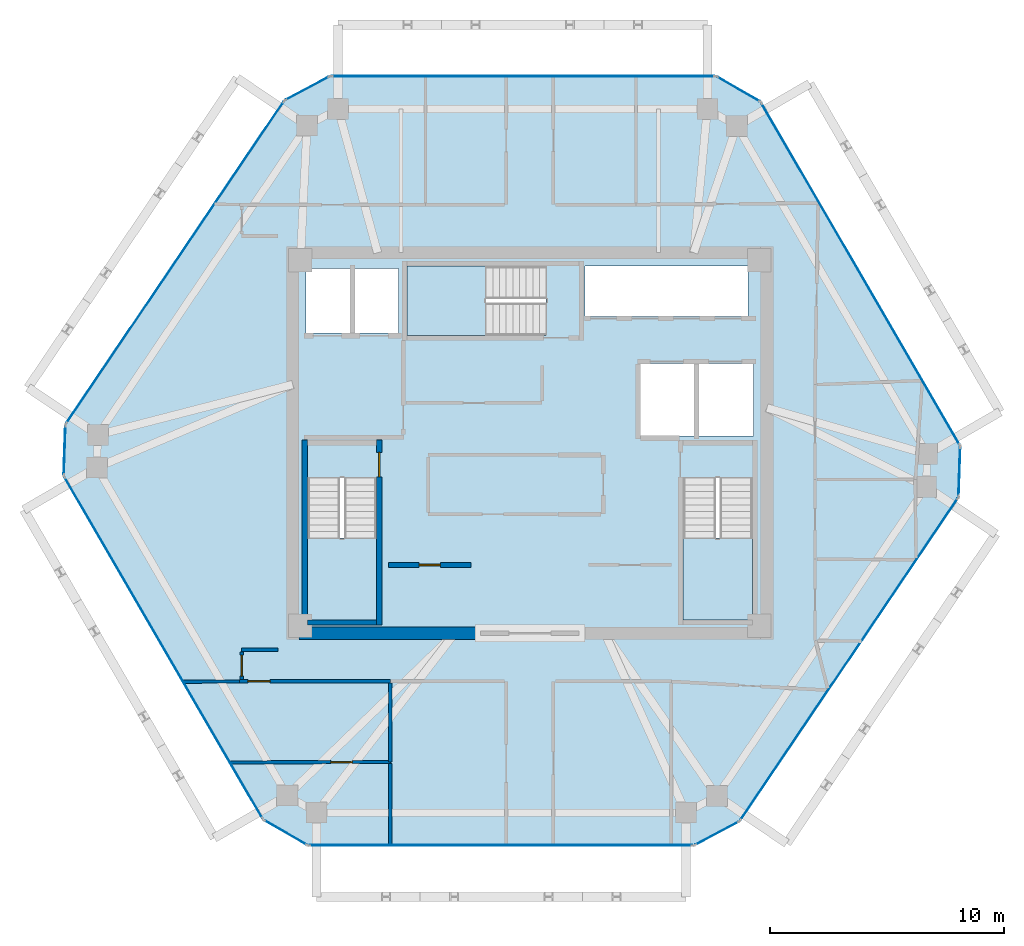
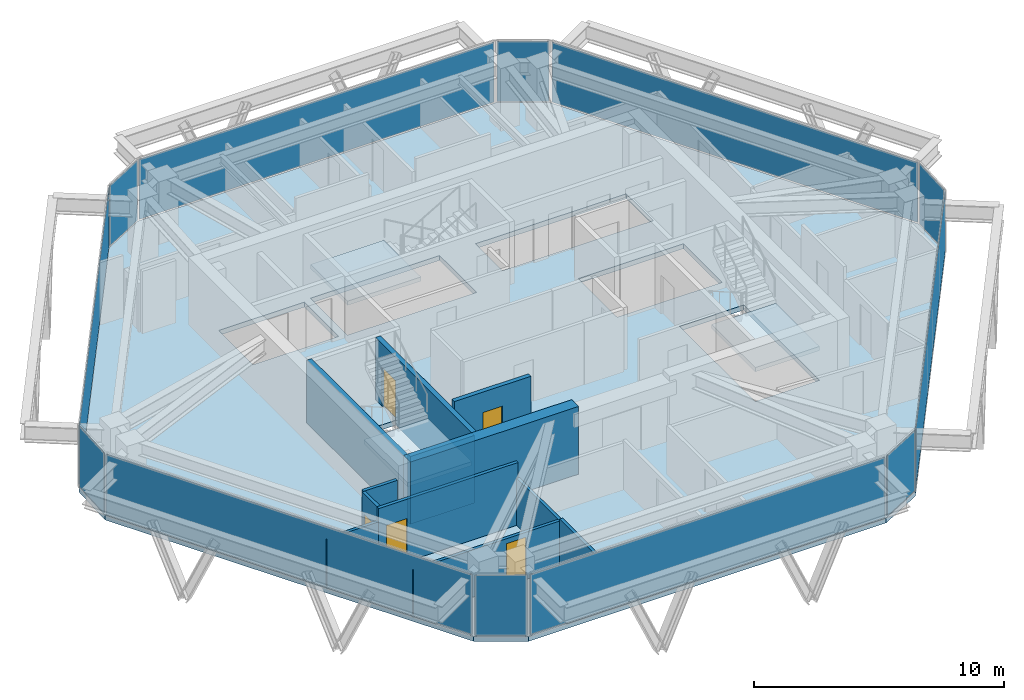
# One storey, part 7 of 11: 12 plates, 12 walls, 5 doors, 4 slabs, 5 openings, 15 elements without a shape of their own.
"""IFC4 building model written with IfcOpenShell, lengths in metres."""

from ifc_helpers import new_model, si_unit, direction, frame, frame_2d, origin, origin_2d, place, context, subcontext, project, spatial, polyline, rectangle, outline, extrude, source, transform, mapped, material, layer, layer_set, type_object, type_shapes, element, fill, aggregate, save


model = new_model("IFC4")

# Units and contexts
model_context = context("Model", 3, precision=1e-05, world=origin(), true_north=direction((0.0, 1.0)))
body_context = subcontext(model_context, "Body", "Model", "MODEL_VIEW")
ifc_project = project(units=[si_unit("LENGTHUNIT", "METRE"), si_unit("AREAUNIT", "SQUARE_METRE"), si_unit("VOLUMEUNIT", "CUBIC_METRE"), si_unit("PLANEANGLEUNIT", "RADIAN"), si_unit("MASSUNIT", "GRAM", prefix="KILO")], contexts=[model_context])

# Site, building, storey
site_placement = place(None, origin())
site = spatial("IfcSite", under=ifc_project, at=site_placement, CompositionType="ELEMENT")
building_placement = place(site_placement, origin())
building = spatial("IfcBuilding", under=site, at=building_placement, Name="Durnholm Broadcast Tower", CompositionType="ELEMENT")
storey_placement = place(building_placement, frame((0.0, 0.0, 238.10009765625)))
storey = spatial("IfcBuildingStorey", under=building, at=storey_placement, Name="L66", CompositionType="ELEMENT", Elevation=238.10009765625)

# Slab
ifc_material_1 = material(Name="Concrete C50/60", Category="concrete")
ifc_layer_1 = layer(ifc_material_1, 0.239990234375)
ifc_layer_set_1 = layer_set([ifc_layer_1], Name="Concrete C50/60")
slab_type_1 = type_object("IfcSlabType", Name="SLAB-FLR-240", PredefinedType="FLOOR", material=ifc_layer_set_1)
slab_1_placement = place(storey_placement, frame((0.0, 0.0, -0.239990234375)))
element("IfcSlab", 1, at=slab_1_placement, inside=storey, type_object=slab_type_1, Name="L66 structural floor slab", PredefinedType="FLOOR", context=body_context, shape_type="SweptSolid", body=[
    extrude(outline(polyline([(-11.384521484375, -16.088134765625), (-9.47802734375, -17.18603515625), (7.012451171875, -17.18603515625), (8.955322265625, -16.154296875), (18.307861328125, -2.3203125), (18.38330078125, -0.12158203125), (9.8603515625, 14.564208984375), (7.9541015625, 15.662109375), (-8.536376953125, 15.662109375), (-10.4794921875, 14.630126953125), (-19.831787109375, 0.79638671875), (-19.9072265625, -1.40234375), (-11.384521484375, -16.088134765625)]), holes=[polyline([(-6.5400390625, -1.5), (-9.5, -1.5), (-9.5, -7.550048828125), (-6.5400390625, -7.550048828125), (-6.5400390625, -1.5)]), polyline([(9.5, -7.550048828125), (9.5, -1.5), (6.5400390625, -1.5), (6.5400390625, -7.550048828125), (9.5, -7.550048828125)]), polyline([(9.550048828125, 3.39990234375), (4.699951171875, 3.39990234375), (4.699951171875, 0.300048828125), (9.550048828125, 0.300048828125), (9.550048828125, 3.39990234375)]), polyline([(-9.550048828125, 7.449951171875), (-9.550048828125, 4.699951171875), (-5.60009765625, 4.699951171875), (-5.60009765625, 7.449951171875), (-9.550048828125, 7.449951171875)]), polyline([(-5.25, 4.60009765625), (0.699951171875, 4.60009765625), (0.699951171875, 7.56005859375), (-5.25, 7.56005859375), (-5.25, 4.60009765625)]), polyline([(9.31005859375, 7.550048828125), (2.35009765625, 7.550048828125), (2.35009765625, 5.39990234375), (9.31005859375, 5.39990234375), (9.31005859375, 7.550048828125)])]), origin(), (0.0, 0.0, 1.0), 0.239990234375),
])

# Stair, slab
stair_type = type_object("IfcStairType", Name="STAIR-DL-20R1650", PredefinedType="HALF_TURN_STAIR", material=ifc_material_1)
stair_1_placement = place(storey_placement, origin())
stair_1 = element("IfcStair", 2, at=stair_1_placement, inside=storey, type_object=stair_type, Name="L66 ST-1", PredefinedType="HALF_TURN_STAIR")
ifc_layer_2 = layer(ifc_material_1, 0.199951171875)
ifc_layer_set_2 = layer_set([ifc_layer_2], Name="Concrete C50/60")
slab_type_2 = type_object("IfcSlabType", Name="SLAB-LND-200", PredefinedType="LANDING", material=ifc_layer_set_2)
slab_2_placement = place(storey_placement, frame((0.0, 0.0, 1.449951171875)))
slab_2 = element("IfcSlab", 3, at=slab_2_placement, type_object=slab_type_2, Name="ST-1 landing 1", PredefinedType="LANDING", context=body_context, shape_type="SweptSolid", body=[
    extrude(outline(polyline([(-9.5, -4.06494140625), (-9.5, -7.550048828125), (-6.5400390625, -7.550048828125), (-6.5400390625, -4.06494140625), (-9.5, -4.06494140625)])), origin(), (0.0, 0.0, 1.0), 0.199951171875),
])
aggregate(stair_1, [slab_2])

stair_2_placement = place(storey_placement, origin())
stair_2 = element("IfcStair", 4, at=stair_2_placement, inside=storey, type_object=stair_type, Name="L66 ST-2", PredefinedType="HALF_TURN_STAIR")
slab_3_placement = place(storey_placement, frame((0.0, 0.0, 1.449951171875)))
slab_3 = element("IfcSlab", 5, at=slab_3_placement, type_object=slab_type_2, Name="ST-2 landing 1", PredefinedType="LANDING", context=body_context, shape_type="SweptSolid", body=[
    extrude(outline(polyline([(6.5400390625, -4.06494140625), (6.5400390625, -7.550048828125), (9.5, -7.550048828125), (9.5, -4.06494140625), (6.5400390625, -4.06494140625)])), origin(), (0.0, 0.0, 1.0), 0.199951171875),
])
aggregate(stair_2, [slab_3])

stair_3_placement = place(storey_placement, origin())
stair_3 = element("IfcStair", 6, at=stair_3_placement, inside=storey, type_object=stair_type, Name="L66 ST-3", PredefinedType="HALF_TURN_STAIR")
slab_4_placement = place(storey_placement, frame((0.0, 0.0, 1.449951171875)))
slab_4 = element("IfcSlab", 7, at=slab_4_placement, type_object=slab_type_2, Name="ST-3 landing 1", PredefinedType="LANDING", context=body_context, shape_type="SweptSolid", body=[
    extrude(outline(polyline([(-1.864990234375, 7.56005859375), (-5.25, 7.56005859375), (-5.25, 4.60009765625), (-1.864990234375, 4.60009765625), (-1.864990234375, 7.56005859375)])), origin(), (0.0, 0.0, 1.0), 0.199951171875),
])
aggregate(stair_3, [slab_4])

# Curtain wall, plate
ifc_material_2 = material(Name="Aluminium and Solar Control IGU", Category="aluminium")
ifc_layer_3 = layer(ifc_material_2, 0.1650390625)
ifc_layer_set_3 = layer_set([ifc_layer_3], Name="Aluminium and Solar Control IGU")
curtain_wall_type_1 = type_object("IfcCurtainWallType", Name="CW-SYS-5", PredefinedType="NOTDEFINED", material=ifc_layer_set_3)
curtain_wall_1_placement = place(storey_placement, origin())
curtain_wall_1 = element("IfcCurtainWall", 8, at=curtain_wall_1_placement, inside=storey, type_object=curtain_wall_type_1, Name="L66 curtain wall CW-CORNER CW-L66-CRN-01", PredefinedType="NOTDEFINED")
ifc_material_3 = material(Name="Low-E Laminated Insulating Glass", Category="glass")
ifc_layer_4 = layer(ifc_material_3, 0.030029296875)
ifc_layer_set_4 = layer_set([ifc_layer_4], Name="Low-E Laminated Insulating Glass")
plate_type_1 = type_object("IfcPlateType", Name="CW-SYS-5-PNL", PredefinedType="CURTAIN_PANEL", material=ifc_layer_set_4)
shared_shape_1 = source(origin(), body_context, "Body", "SweptSolid", [
    extrude(rectangle(XDim=2.070068359375, YDim=0.030029296875, at=origin_2d()), origin(), (0.0, 0.0, 1.0), 2.929931640625),
])
plate_1_placement = place(storey_placement, frame((-19.86962890625, -0.302978515625, 0.06494140625), z_axis=(0.0, 0.0, 1.0), x_axis=(0.034318245849, 0.999410955514, 0.0)))
plate_1 = element("IfcPlate", 9, at=plate_1_placement, type_object=plate_type_1, Name="CW-CORNER panel 1.1", PredefinedType="CURTAIN_PANEL", context=body_context, shape_type="MappedRepresentation", body=[
    mapped(shared_shape_1, transform((0.0, 0.0, 0.0), x_axis=(1.0, 0.0, 0.0), y_axis=(0.0, 1.0, 0.0), z_axis=(0.0, 0.0, 1.0), scale=1.0)),
])
aggregate(curtain_wall_1, [plate_1])

curtain_wall_2_placement = place(storey_placement, origin())
curtain_wall_2 = element("IfcCurtainWall", 10, at=curtain_wall_2_placement, inside=storey, type_object=curtain_wall_type_1, Name="L66 curtain wall CW-CORNER CW-L66-CRN-03", PredefinedType="NOTDEFINED")
plate_2_placement = place(storey_placement, frame((-9.5078125, 15.14599609375, 0.06494140625), z_axis=(0.0, 0.0, 1.0), x_axis=(0.883194569853, 0.469006771575, 0.0)))
plate_2 = element("IfcPlate", 11, at=plate_2_placement, type_object=plate_type_1, Name="CW-CORNER panel 1.1", PredefinedType="CURTAIN_PANEL", context=body_context, shape_type="MappedRepresentation", body=[
    mapped(shared_shape_1, transform((0.0, 0.0, 0.0), x_axis=(1.0, 0.0, 0.0), y_axis=(0.0, 1.0, 0.0), z_axis=(0.0, 0.0, 1.0), scale=1.0)),
])
aggregate(curtain_wall_2, [plate_2])

curtain_wall_3_placement = place(storey_placement, origin())
curtain_wall_3 = element("IfcCurtainWall", 12, at=curtain_wall_3_placement, inside=storey, type_object=curtain_wall_type_1, Name="L66 curtain wall CW-CORNER CW-L66-CRN-07", PredefinedType="NOTDEFINED")
plate_3_placement = place(storey_placement, frame((18.345458984375, -1.220947265625, 0.06494140625), z_axis=(0.0, 0.0, 1.0), x_axis=(-0.034318245849, -0.999410955514, 0.0)))
plate_3 = element("IfcPlate", 13, at=plate_3_placement, type_object=plate_type_1, Name="CW-CORNER panel 1.1", PredefinedType="CURTAIN_PANEL", context=body_context, shape_type="MappedRepresentation", body=[
    mapped(shared_shape_1, transform((0.0, 0.0, 0.0), x_axis=(1.0, 0.0, 0.0), y_axis=(0.0, 1.0, 0.0), z_axis=(0.0, 0.0, 1.0), scale=1.0)),
])
aggregate(curtain_wall_3, [plate_3])

curtain_wall_4_placement = place(storey_placement, origin())
curtain_wall_4 = element("IfcCurtainWall", 14, at=curtain_wall_4_placement, inside=storey, type_object=curtain_wall_type_1, Name="L66 curtain wall CW-CORNER CW-L66-CRN-09", PredefinedType="NOTDEFINED")
plate_4_placement = place(storey_placement, frame((7.98388671875, -16.670166015625, 0.06494140625), z_axis=(0.0, 0.0, 1.0), x_axis=(-0.883194569853, -0.469006771575, 0.0)))
plate_4 = element("IfcPlate", 15, at=plate_4_placement, type_object=plate_type_1, Name="CW-CORNER panel 1.1", PredefinedType="CURTAIN_PANEL", context=body_context, shape_type="MappedRepresentation", body=[
    mapped(shared_shape_1, transform((0.0, 0.0, 0.0), x_axis=(1.0, 0.0, 0.0), y_axis=(0.0, 1.0, 0.0), z_axis=(0.0, 0.0, 1.0), scale=1.0)),
])
aggregate(curtain_wall_4, [plate_4])

ifc_layer_5 = layer(ifc_material_2, 0.18994140625)
ifc_layer_set_5 = layer_set([ifc_layer_5], Name="Aluminium and Solar Control IGU")
curtain_wall_type_2 = type_object("IfcCurtainWallType", Name="CW-SYS-4", PredefinedType="NOTDEFINED", material=ifc_layer_set_5)
curtain_wall_5_placement = place(storey_placement, origin())
curtain_wall_5 = element("IfcCurtainWall", 16, at=curtain_wall_5_placement, inside=storey, type_object=curtain_wall_type_2, Name="L66 curtain wall CW-Z34-VIS CW-L66-F02", PredefinedType="NOTDEFINED")
ifc_layer_6 = layer(ifc_material_3, 0.033935546875)
ifc_layer_set_6 = layer_set([ifc_layer_6], Name="Low-E Laminated Insulating Glass")
plate_type_2 = type_object("IfcPlateType", Name="CW-SYS-4-PNL", PredefinedType="CURTAIN_PANEL", material=ifc_layer_set_6)
shared_shape_2 = source(origin(), body_context, "Body", "SweptSolid", [
    extrude(rectangle(XDim=16.55859375, YDim=0.033935546875, at=origin_2d()), origin(), (0.0, 0.0, 1.0), 2.919921875),
])
plate_5_placement = place(storey_placement, frame((-15.155517578125, 7.71337890625, 0.06982421875), z_axis=(0.0, 0.0, 1.0), x_axis=(0.560072745753, 0.828443431662, 0.0)))
plate_5 = element("IfcPlate", 17, at=plate_5_placement, type_object=plate_type_2, Name="CW-Z34-VIS panel 1.1", PredefinedType="CURTAIN_PANEL", context=body_context, shape_type="MappedRepresentation", body=[
    mapped(shared_shape_2, transform((0.0, 0.0, 0.0), x_axis=(1.0, 0.0, 0.0), y_axis=(0.0, 1.0, 0.0), z_axis=(0.0, 0.0, 1.0), scale=1.0)),
])
aggregate(curtain_wall_5, [plate_5])

curtain_wall_6_placement = place(storey_placement, origin())
curtain_wall_6 = element("IfcCurtainWall", 18, at=curtain_wall_6_placement, inside=storey, type_object=curtain_wall_type_2, Name="L66 curtain wall CW-Z34-VIS CW-L66-F08", PredefinedType="NOTDEFINED")
plate_6_placement = place(storey_placement, frame((13.631591796875, -9.2373046875, 0.06982421875), z_axis=(0.0, 0.0, 1.0), x_axis=(-0.560072745753, -0.828443431662, 0.0)))
plate_6 = element("IfcPlate", 19, at=plate_6_placement, type_object=plate_type_2, Name="CW-Z34-VIS panel 1.1", PredefinedType="CURTAIN_PANEL", context=body_context, shape_type="MappedRepresentation", body=[
    mapped(shared_shape_2, transform((0.0, 0.0, 0.0), x_axis=(1.0, 0.0, 0.0), y_axis=(0.0, 1.0, 0.0), z_axis=(0.0, 0.0, 1.0), scale=1.0)),
])
aggregate(curtain_wall_6, [plate_6])

curtain_wall_7_placement = place(storey_placement, origin())
curtain_wall_7 = element("IfcCurtainWall", 20, at=curtain_wall_7_placement, inside=storey, type_object=curtain_wall_type_2, Name="L66 curtain wall CW-Z34-VIS CW-L66-F04", PredefinedType="NOTDEFINED")
shared_shape_3 = source(origin(), body_context, "Body", "SweptSolid", [
    extrude(rectangle(XDim=16.350341796875, YDim=0.033935546875, at=origin_2d()), origin(), (0.0, 0.0, 1.0), 2.919921875),
])
plate_7_placement = place(storey_placement, frame((-0.291259765625, 15.662109375, 0.06982421875), z_axis=(0.0, 0.0, 1.0), x_axis=(1.0, 0.0, 0.0)))
plate_7 = element("IfcPlate", 21, at=plate_7_placement, type_object=plate_type_2, Name="CW-Z34-VIS panel 1.1", PredefinedType="CURTAIN_PANEL", context=body_context, shape_type="MappedRepresentation", body=[
    mapped(shared_shape_3, transform((0.0, 0.0, 0.0), x_axis=(1.0, 0.0, 0.0), y_axis=(0.0, 1.0, 0.0), z_axis=(0.0, 0.0, 1.0), scale=1.0)),
])
aggregate(curtain_wall_7, [plate_7])

curtain_wall_8_placement = place(storey_placement, origin())
curtain_wall_8 = element("IfcCurtainWall", 22, at=curtain_wall_8_placement, inside=storey, type_object=curtain_wall_type_2, Name="L66 curtain wall CW-Z34-VIS CW-L66-F10", PredefinedType="NOTDEFINED")
plate_8_placement = place(storey_placement, frame((-1.23291015625, -17.18603515625, 0.06982421875), z_axis=(0.0, 0.0, 1.0), x_axis=(-1.0, 0.0, 0.0)))
plate_8 = element("IfcPlate", 23, at=plate_8_placement, type_object=plate_type_2, Name="CW-Z34-VIS panel 1.1", PredefinedType="CURTAIN_PANEL", context=body_context, shape_type="MappedRepresentation", body=[
    mapped(shared_shape_3, transform((0.0, 0.0, 0.0), x_axis=(1.0, 0.0, 0.0), y_axis=(0.0, 1.0, 0.0), z_axis=(0.0, 0.0, 1.0), scale=1.0)),
])
aggregate(curtain_wall_8, [plate_8])

curtain_wall_9_placement = place(storey_placement, origin())
curtain_wall_9 = element("IfcCurtainWall", 24, at=curtain_wall_9_placement, inside=storey, type_object=curtain_wall_type_1, Name="L66 curtain wall CW-CORNER CW-L66-CRN-05", PredefinedType="NOTDEFINED")
shared_shape_4 = source(origin(), body_context, "Body", "SweptSolid", [
    extrude(rectangle(XDim=2.06982421875, YDim=0.030029296875, at=origin_2d()), origin(), (0.0, 0.0, 1.0), 2.929931640625),
])
type_shapes(plate_type_1, [shared_shape_1, shared_shape_4])
plate_9_placement = place(storey_placement, frame((8.9072265625, 15.113037109375, 0.06494140625), z_axis=(0.0, 0.0, 1.0), x_axis=(0.866568249707, -0.499058582333, 0.0)))
plate_9 = element("IfcPlate", 25, at=plate_9_placement, type_object=plate_type_1, Name="CW-CORNER panel 1.1", PredefinedType="CURTAIN_PANEL", context=body_context, shape_type="MappedRepresentation", body=[
    mapped(shared_shape_4, transform((0.0, 0.0, 0.0), x_axis=(1.0, 0.0, 0.0), y_axis=(0.0, 1.0, 0.0), z_axis=(0.0, 0.0, 1.0), scale=1.0)),
])
aggregate(curtain_wall_9, [plate_9])

curtain_wall_10_placement = place(storey_placement, origin())
curtain_wall_10 = element("IfcCurtainWall", 26, at=curtain_wall_10_placement, inside=storey, type_object=curtain_wall_type_1, Name="L66 curtain wall CW-CORNER CW-L66-CRN-11", PredefinedType="NOTDEFINED")
plate_10_placement = place(storey_placement, frame((-10.43115234375, -16.636962890625, 0.06494140625), z_axis=(0.0, 0.0, 1.0), x_axis=(-0.866568249707, 0.499058582333, 0.0)))
plate_10 = element("IfcPlate", 27, at=plate_10_placement, type_object=plate_type_1, Name="CW-CORNER panel 1.1", PredefinedType="CURTAIN_PANEL", context=body_context, shape_type="MappedRepresentation", body=[
    mapped(shared_shape_4, transform((0.0, 0.0, 0.0), x_axis=(1.0, 0.0, 0.0), y_axis=(0.0, 1.0, 0.0), z_axis=(0.0, 0.0, 1.0), scale=1.0)),
])
aggregate(curtain_wall_10, [plate_10])

curtain_wall_11_placement = place(storey_placement, origin())
curtain_wall_11 = element("IfcCurtainWall", 28, at=curtain_wall_11_placement, inside=storey, type_object=curtain_wall_type_2, Name="L66 curtain wall CW-Z34-VIS CW-L66-F06", PredefinedType="NOTDEFINED")
shared_shape_5 = source(origin(), body_context, "Body", "SweptSolid", [
    extrude(rectangle(XDim=16.83984375, YDim=0.033935546875, at=origin_2d()), origin(), (0.0, 0.0, 1.0), 2.919921875),
])
type_shapes(plate_type_2, [shared_shape_2, shared_shape_3, shared_shape_5])
plate_11_placement = place(storey_placement, frame((14.121826171875, 7.22119140625, 0.06982421875), z_axis=(0.0, 0.0, 1.0), x_axis=(0.50194441023, -0.864899883824, 0.0)))
plate_11 = element("IfcPlate", 29, at=plate_11_placement, type_object=plate_type_2, Name="CW-Z34-VIS panel 1.1", PredefinedType="CURTAIN_PANEL", context=body_context, shape_type="MappedRepresentation", body=[
    mapped(shared_shape_5, transform((0.0, 0.0, 0.0), x_axis=(1.0, 0.0, 0.0), y_axis=(0.0, 1.0, 0.0), z_axis=(0.0, 0.0, 1.0), scale=1.0)),
])
aggregate(curtain_wall_11, [plate_11])

curtain_wall_12_placement = place(storey_placement, origin())
curtain_wall_12 = element("IfcCurtainWall", 30, at=curtain_wall_12_placement, inside=storey, type_object=curtain_wall_type_2, Name="L66 curtain wall CW-Z34-VIS CW-L66-F12", PredefinedType="NOTDEFINED")
plate_12_placement = place(storey_placement, frame((-15.645751953125, -8.7451171875, 0.06982421875), z_axis=(0.0, 0.0, 1.0), x_axis=(-0.50194441023, 0.864899883824, 0.0)))
plate_12 = element("IfcPlate", 31, at=plate_12_placement, type_object=plate_type_2, Name="CW-Z34-VIS panel 1.1", PredefinedType="CURTAIN_PANEL", context=body_context, shape_type="MappedRepresentation", body=[
    mapped(shared_shape_5, transform((0.0, 0.0, 0.0), x_axis=(1.0, 0.0, 0.0), y_axis=(0.0, 1.0, 0.0), z_axis=(0.0, 0.0, 1.0), scale=1.0)),
])
aggregate(curtain_wall_12, [plate_12])

# Wall
ifc_material_4 = material(Name="Concrete C70/85", Category="concrete")
ifc_layer_7 = layer(ifc_material_4, 0.550048828125)
ifc_layer_set_7 = layer_set([ifc_layer_7], Name="Concrete C70/85")
wall_type_1 = type_object("IfcWallType", Name="WALL-CW-550", PredefinedType="SHEAR", material=ifc_layer_set_7)
wall_1_placement = place(storey_placement, frame((-9.85009765625, -8.125, 0.0), z_axis=(0.0, 0.0, 1.0), x_axis=(1.0, 0.0, 0.0)))
element("IfcWall", 32, at=wall_1_placement, inside=storey, type_object=wall_type_1, Name="L66 central core shear wall CW-S1", PredefinedType="SHEAR", context=body_context, shape_type="SweptSolid", body=[
    extrude(rectangle(XDim=7.75, YDim=0.550048828125, at=frame_2d((3.875, 0.0))), origin(), (0.0, 0.0, 1.0), 3.2998046875),
])

# Wall, opening, door
ifc_material_5 = material(Name="Fire-Rated Gypsum Shaftwall", Category="concrete")
ifc_layer_8 = layer(ifc_material_5, 0.199951171875)
ifc_layer_set_8 = layer_set([ifc_layer_8], Name="Fire-Rated Gypsum Shaftwall")
wall_type_2 = type_object("IfcWallType", Name="WALL-LOB-200", PredefinedType="SOLIDWALL", material=ifc_layer_set_8)
wall_2_placement = place(storey_placement, frame((-6.0400390625, -5.2099609375, 0.0), z_axis=(0.0, 0.0, 1.0), x_axis=(1.0, 0.0, 0.0)))
wall_2 = element("IfcWall", 33, at=wall_2_placement, inside=storey, type_object=wall_type_2, Name="L66 Broadcast Signal Rack Room corridor partition", PredefinedType="SOLIDWALL", context=body_context, shape_type="SweptSolid", body=[
    extrude(rectangle(XDim=3.530029296875, YDim=0.199951171875, at=frame_2d((1.76513671875, 0.0))), origin(), (0.0, 0.0, 1.0), 3.044921875),
])
opening_1_placement = place(wall_2_placement, frame((1.31494140625, 0.0, 0.0)))
opening_1 = element("IfcOpeningElement", 34, at=opening_1_placement, cuts=wall_2, Name="Opening DC-60L", PredefinedType="OPENING", context=body_context, shape_type="SweptSolid", body=[
    extrude(rectangle(XDim=0.89990234375, YDim=2.050048828125, at=frame_2d((0.449951171875, 1.02490234375))), frame((0.0, 0.10986328125, 0.0), z_axis=(0.0, -1.0, 0.0), x_axis=(1.0, 0.0, 0.0)), (0.0, 0.0, 1.0), 0.219970703125),
])
ifc_material_6 = material(Name="Fire-Rated Core Service Door", Category="steel")
ifc_layer_9 = layer(ifc_material_6, 0.050048828125)
ifc_layer_set_9 = layer_set([ifc_layer_9], Name="Fire-Rated Core Service Door")
door_type_1 = type_object("IfcDoorType", Name="DOOR-CORE-FD60-L", OperationType="NOTDEFINED", PredefinedType="DOOR", material=ifc_layer_set_9)
shared_shape_6 = source(origin(), body_context, "Body", "SweptSolid", [
    extrude(rectangle(XDim=0.89990234375, YDim=2.050048828125, at=frame_2d((0.449951171875, 1.02490234375))), frame((0.0, 0.02490234375, 0.0), z_axis=(0.0, -1.0, 0.0), x_axis=(1.0, 0.0, 0.0)), (0.0, 0.0, 1.0), 0.050048828125),
])
type_shapes(door_type_1, [shared_shape_6])
door_1_placement = place(opening_1_placement, origin())
door_1 = element("IfcDoor", 35, at=door_1_placement, inside=storey, type_object=door_type_1, Name="L66 Broadcast Signal Rack Room entrance door", OperationType="SINGLE_SWING_LEFT", OverallHeight=2.050048828125, OverallWidth=0.89990234375, PredefinedType="DOOR", context=body_context, shape_type="MappedRepresentation", body=[
    mapped(shared_shape_6, transform((0.0, 0.0, 0.0), x_axis=(1.0, 0.0, 0.0), y_axis=(0.0, 1.0, 0.0), z_axis=(0.0, 0.0, 1.0), scale=1.0)),
])
fill(opening_1, door_1)

ifc_material_7 = material(Name="Gypsum Metal Stud Partition", Category="concrete")
ifc_layer_10 = layer(ifc_material_7, 0.135009765625)
ifc_layer_set_10 = layer_set([ifc_layer_10], Name="Gypsum Metal Stud Partition")
wall_type_3 = type_object("IfcWallType", Name="WALL-PART-135", PredefinedType="PARTITIONING", material=ifc_layer_set_10)
wall_3_placement = place(storey_placement, frame((-12.803466796875, -13.64306640625, 0.0), z_axis=(0.0, 0.0, 1.0), x_axis=(0.999995721242, 0.002925320151, 0.0)))
wall_3 = element("IfcWall", 36, at=wall_3_placement, inside=storey, type_object=wall_type_3, Name="L66 room dividing partition 13.14", PredefinedType="PARTITIONING", context=body_context, shape_type="SweptSolid", body=[
    extrude(rectangle(XDim=6.843505859375, YDim=0.135009765625, at=frame_2d((3.421875, 0.0))), origin(), (0.0, 0.0, 1.0), 2.30126953125),
])
opening_2_placement = place(wall_3_placement, frame((4.31005859375, 0.0, 0.0)))
opening_2 = element("IfcOpeningElement", 37, at=opening_2_placement, cuts=wall_3, Name="Opening DW-90L", PredefinedType="OPENING", context=body_context, shape_type="SweptSolid", body=[
    extrude(rectangle(XDim=0.89990234375, YDim=2.050048828125, at=frame_2d((0.449951171875, 1.02490234375))), frame((0.0, 0.07763671875, 0.0), z_axis=(0.0, -1.0, 0.0), x_axis=(1.0, 0.0, 0.0)), (0.0, 0.0, 1.0), 0.155029296875),
])
ifc_material_8 = material(Name="Laminate Restroom Door", Category="steel")
ifc_layer_11 = layer(ifc_material_8, 0.050048828125)
ifc_layer_set_11 = layer_set([ifc_layer_11], Name="Laminate Restroom Door")
door_type_2 = type_object("IfcDoorType", Name="DOOR-WC-900L", OperationType="NOTDEFINED", PredefinedType="DOOR", material=ifc_layer_set_11)
shared_shape_7 = source(origin(), body_context, "Body", "SweptSolid", [
    extrude(rectangle(XDim=0.89990234375, YDim=2.050048828125, at=frame_2d((0.449951171875, 1.02490234375))), frame((0.0, 0.02490234375, 0.0), z_axis=(0.0, -1.0, 0.0), x_axis=(1.0, 0.0, 0.0)), (0.0, 0.0, 1.0), 0.050048828125),
])
type_shapes(door_type_2, [shared_shape_7])
door_2_placement = place(opening_2_placement, origin())
door_2 = element("IfcDoor", 38, at=door_2_placement, inside=storey, type_object=door_type_2, Name="L66 Pantry Kitchen connecting door", OperationType="SINGLE_SWING_LEFT", OverallHeight=2.050048828125, OverallWidth=0.89990234375, PredefinedType="DOOR", context=body_context, shape_type="MappedRepresentation", body=[
    mapped(shared_shape_7, transform((0.0, 0.0, 0.0), x_axis=(1.0, 0.0, 0.0), y_axis=(0.0, 1.0, 0.0), z_axis=(0.0, 0.0, 1.0), scale=1.0)),
])
fill(opening_2, door_2)

# Walls
wall_4_placement = place(storey_placement, frame((-5.9599609375, -13.694580078125, 0.0), z_axis=(0.0, 0.0, 1.0), x_axis=(0.0, -1.0, 0.0)))
element("IfcWall", 39, at=wall_4_placement, inside=storey, type_object=wall_type_3, Name="L66 room dividing partition 13.15", PredefinedType="PARTITIONING", context=body_context, shape_type="SweptSolid", body=[
    extrude(rectangle(XDim=3.491455078125, YDim=0.135009765625, at=frame_2d((1.74560546875, 0.0))), origin(), (0.0, 0.0, 1.0), 2.398681640625),
])
wall_5_placement = place(storey_placement, frame((-5.9599609375, -10.259033203125, 0.0), z_axis=(0.0, 0.0, 1.0), x_axis=(0.0, -1.0, 0.0)))
element("IfcWall", 40, at=wall_5_placement, inside=storey, type_object=wall_type_3, Name="L66 room dividing partition 14.15", PredefinedType="PARTITIONING", context=body_context, shape_type="SweptSolid", body=[
    extrude(rectangle(XDim=3.364013671875, YDim=0.135009765625, at=frame_2d((1.68212890625, 0.0))), origin(), (0.0, 0.0, 1.0), 2.30126953125),
])
wall_6_placement = place(storey_placement, frame((-14.801513671875, -10.199951171875, 0.0), z_axis=(0.0, 0.0, 1.0), x_axis=(0.999968020968, 0.007997314604, 0.0)))
element("IfcWall", 41, at=wall_6_placement, inside=storey, type_object=wall_type_3, Name="L66 room dividing partition 14.18", PredefinedType="PARTITIONING", context=body_context, shape_type="SweptSolid", body=[
    extrude(rectangle(XDim=2.41162109375, YDim=0.135009765625, at=frame_2d((1.205810546875, 0.0))), origin(), (0.0, 0.0, 1.0), 2.398681640625),
])

# Wall, opening, door
ifc_material_9 = material(Name="Acoustic Gypsum Stud Partition", Category="concrete")
ifc_layer_12 = layer(ifc_material_9, 0.14990234375)
ifc_layer_set_12 = layer_set([ifc_layer_12], Name="Acoustic Gypsum Stud Partition")
wall_type_4 = type_object("IfcWallType", Name="WALL-PART-150", PredefinedType="PARTITIONING", material=ifc_layer_set_12)
wall_7_placement = place(storey_placement, frame((-12.389892578125, -10.179931640625, 0.0), z_axis=(0.0, 0.0, 1.0), x_axis=(1.0, 0.0, 0.0)))
wall_7 = element("IfcWall", 42, at=wall_7_placement, inside=storey, type_object=wall_type_4, Name="L66 Standards Office corridor partition", PredefinedType="PARTITIONING", context=body_context, shape_type="SweptSolid", body=[
    extrude(rectangle(XDim=6.429931640625, YDim=0.14990234375, at=frame_2d((3.21484375, 0.0))), origin(), (0.0, 0.0, 1.0), 3.044921875),
])
opening_3_placement = place(wall_7_placement, frame((0.35009765625, 0.0, 0.0)))
opening_3 = element("IfcOpeningElement", 43, at=opening_3_placement, cuts=wall_7, Name="Opening DR-95L", PredefinedType="OPENING", context=body_context, shape_type="SweptSolid", body=[
    extrude(rectangle(XDim=0.949951171875, YDim=2.10009765625, at=frame_2d((0.47509765625, 1.050048828125))), frame((0.0, 0.0849609375, 0.0), z_axis=(0.0, -1.0, 0.0), x_axis=(1.0, 0.0, 0.0)), (0.0, 0.0, 1.0), 0.169921875),
])
ifc_material_10 = material(Name="Acoustic Oak Veneer Timber Door", Category="wood")
ifc_layer_13 = layer(ifc_material_10, 0.050048828125)
ifc_layer_set_13 = layer_set([ifc_layer_13], Name="Acoustic Oak Veneer Timber Door")
door_type_3 = type_object("IfcDoorType", Name="DOOR-RM-950L", OperationType="NOTDEFINED", PredefinedType="DOOR", material=ifc_layer_set_13)
shared_shape_8 = source(origin(), body_context, "Body", "SweptSolid", [
    extrude(rectangle(XDim=0.949951171875, YDim=2.10009765625, at=frame_2d((0.47509765625, 1.050048828125))), frame((0.0, 0.02490234375, 0.0), z_axis=(0.0, -1.0, 0.0), x_axis=(1.0, 0.0, 0.0)), (0.0, 0.0, 1.0), 0.050048828125),
])
type_shapes(door_type_3, [shared_shape_8])
door_3_placement = place(opening_3_placement, origin())
door_3 = element("IfcDoor", 44, at=door_3_placement, inside=storey, type_object=door_type_3, Name="L66 Standards Office entrance door", OperationType="SINGLE_SWING_LEFT", OverallHeight=2.10009765625, OverallWidth=0.949951171875, PredefinedType="DOOR", context=body_context, shape_type="MappedRepresentation", body=[
    mapped(shared_shape_8, transform((0.0, 0.0, 0.0), x_axis=(1.0, 0.0, 0.0), y_axis=(0.0, 1.0, 0.0), z_axis=(0.0, 0.0, 1.0), scale=1.0)),
])
fill(opening_3, door_3)

# Wall
wall_8_placement = place(storey_placement, frame((-10.760009765625, -8.840087890625, 0.0), z_axis=(0.0, 0.0, 1.0), x_axis=(-1.0, 0.0, 0.0)))
element("IfcWall", 45, at=wall_8_placement, inside=storey, type_object=wall_type_4, Name="L66 Council Dining Room corridor partition", PredefinedType="PARTITIONING", context=body_context, shape_type="SweptSolid", body=[
    extrude(rectangle(XDim=1.550048828125, YDim=0.14990234375, at=frame_2d((0.77490234375, 0.0))), origin(), (0.0, 0.0, 1.0), 3.044921875),
])

# Wall, opening, door
wall_9_placement = place(storey_placement, frame((-12.31005859375, -8.9189453125, 0.0), z_axis=(0.0, 0.0, 1.0), x_axis=(0.0, -1.0, 0.0)))
wall_9 = element("IfcWall", 46, at=wall_9_placement, inside=storey, type_object=wall_type_4, Name="L66 Council Dining Room corridor partition", PredefinedType="PARTITIONING", context=body_context, shape_type="SweptSolid", body=[
    extrude(rectangle(XDim=1.18212890625, YDim=0.14990234375, at=frame_2d((0.591064453125, 0.0))), origin(), (0.0, 0.0, 1.0), 3.044921875),
])
opening_4_placement = place(wall_9_placement, frame((0.14111328125, 0.0, 0.0)))
opening_4 = element("IfcOpeningElement", 47, at=opening_4_placement, cuts=wall_9, Name="Opening DW-90R", PredefinedType="OPENING", context=body_context, shape_type="SweptSolid", body=[
    extrude(rectangle(XDim=0.89990234375, YDim=2.050048828125, at=frame_2d((0.449951171875, 1.02490234375))), frame((0.0, 0.0849609375, 0.0), z_axis=(0.0, -1.0, 0.0), x_axis=(1.0, 0.0, 0.0)), (0.0, 0.0, 1.0), 0.169921875),
])
ifc_layer_14 = layer(ifc_material_8, 0.050048828125)
ifc_layer_set_14 = layer_set([ifc_layer_14], Name="Laminate Restroom Door")
door_type_4 = type_object("IfcDoorType", Name="DOOR-WC-900R", OperationType="NOTDEFINED", PredefinedType="DOOR", material=ifc_layer_set_14)
shared_shape_9 = source(origin(), body_context, "Body", "SweptSolid", [
    extrude(rectangle(XDim=0.89990234375, YDim=2.050048828125, at=frame_2d((0.449951171875, 1.02490234375))), frame((0.0, 0.02490234375, 0.0), z_axis=(0.0, -1.0, 0.0), x_axis=(1.0, 0.0, 0.0)), (0.0, 0.0, 1.0), 0.050048828125),
])
type_shapes(door_type_4, [shared_shape_9])
door_4_placement = place(opening_4_placement, origin())
door_4 = element("IfcDoor", 48, at=door_4_placement, inside=storey, type_object=door_type_4, Name="L66 Council Dining Room entrance door", OperationType="SINGLE_SWING_RIGHT", OverallHeight=2.050048828125, OverallWidth=0.89990234375, PredefinedType="DOOR", context=body_context, shape_type="MappedRepresentation", body=[
    mapped(shared_shape_9, transform((0.0, 0.0, 0.0), x_axis=(1.0, 0.0, 0.0), y_axis=(0.0, 1.0, 0.0), z_axis=(0.0, 0.0, 1.0), scale=1.0)),
])
fill(opening_4, door_4)

ifc_layer_15 = layer(ifc_material_1, 0.219970703125)
ifc_layer_set_15 = layer_set([ifc_layer_15], Name="Concrete C50/60")
wall_type_5 = type_object("IfcWallType", Name="WALL-SW-220", PredefinedType="SHEAR", material=ifc_layer_set_15)
wall_10_placement = place(storey_placement, frame((-6.429931640625, -7.77001953125, -0.239990234375), z_axis=(0.0, 0.0, 1.0), x_axis=(0.0, 1.0, 0.0)))
wall_10 = element("IfcWall", 49, at=wall_10_placement, inside=storey, type_object=wall_type_5, Name="L66 stair ST-1 structural shaft wall E", PredefinedType="SHEAR", context=body_context, shape_type="SweptSolid", body=[
    extrude(rectangle(XDim=7.89013671875, YDim=0.219970703125, at=frame_2d((3.945068359375, 0.0))), origin(), (0.0, 0.0, 1.0), 3.2998046875),
])
opening_5_placement = place(wall_10_placement, frame((6.320068359375, 0.0, 0.0)))
opening_5 = element("IfcOpeningElement", 50, at=opening_5_placement, cuts=wall_10, Name="Opening DS-90L", PredefinedType="OPENING", context=body_context, shape_type="SweptSolid", body=[
    extrude(rectangle(XDim=1.050048828125, YDim=2.14990234375, at=frame_2d((0.52490234375, 1.074951171875))), frame((0.0, 0.1201171875, 0.0), z_axis=(0.0, -1.0, 0.0), x_axis=(1.0, 0.0, 0.0)), (0.0, 0.0, 1.0), 0.239990234375),
])
ifc_material_11 = material(Name="Fire-Rated Steel Door", Category="steel")
ifc_layer_16 = layer(ifc_material_11, 0.050048828125)
ifc_layer_set_16 = layer_set([ifc_layer_16], Name="Fire-Rated Steel Door")
door_type_5 = type_object("IfcDoorType", Name="DOOR-ST-FD90-L", OperationType="NOTDEFINED", PredefinedType="DOOR", material=ifc_layer_set_16)
shared_shape_10 = source(origin(), body_context, "Body", "SweptSolid", [
    extrude(rectangle(XDim=1.050048828125, YDim=2.14990234375, at=frame_2d((0.52490234375, 1.074951171875))), frame((0.0, 0.02490234375, 0.0), z_axis=(0.0, -1.0, 0.0), x_axis=(1.0, 0.0, 0.0)), (0.0, 0.0, 1.0), 0.050048828125),
])
type_shapes(door_type_5, [shared_shape_10])
door_5_placement = place(opening_5_placement, origin())
door_5 = element("IfcDoor", 51, at=door_5_placement, inside=storey, type_object=door_type_5, Name="L66 exit stair ST-1 fire door", OperationType="SINGLE_SWING_LEFT", OverallHeight=2.14990234375, OverallWidth=1.050048828125, PredefinedType="DOOR", context=body_context, shape_type="MappedRepresentation", body=[
    mapped(shared_shape_10, transform((0.0, 0.0, 0.0), x_axis=(1.0, 0.0, 0.0), y_axis=(0.0, 1.0, 0.0), z_axis=(0.0, 0.0, 1.0), scale=1.0)),
])
fill(opening_5, door_5)

# Walls
wall_11_placement = place(storey_placement, frame((-9.610107421875, 0.1201171875, -0.239990234375), z_axis=(0.0, 0.0, 1.0), x_axis=(0.0, -1.0, 0.0)))
element("IfcWall", 52, at=wall_11_placement, inside=storey, type_object=wall_type_5, Name="L66 stair ST-1 structural shaft wall W", PredefinedType="SHEAR", context=body_context, shape_type="SweptSolid", body=[
    extrude(rectangle(XDim=7.89013671875, YDim=0.219970703125, at=frame_2d((3.945068359375, 0.0))), origin(), (0.0, 0.0, 1.0), 3.2998046875),
])
wall_12_placement = place(storey_placement, frame((-9.5, -7.659912109375, -0.239990234375), z_axis=(0.0, 0.0, 1.0), x_axis=(1.0, 0.0, 0.0)))
element("IfcWall", 53, at=wall_12_placement, inside=storey, type_object=wall_type_5, Name="L66 stair ST-1 structural shaft wall S", PredefinedType="SHEAR", context=body_context, shape_type="SweptSolid", body=[
    extrude(rectangle(XDim=2.9599609375, YDim=0.219970703125, at=frame_2d((1.47998046875, 0.0))), origin(), (0.0, 0.0, 1.0), 3.2998046875),
])

save(model, "model.ifc")
